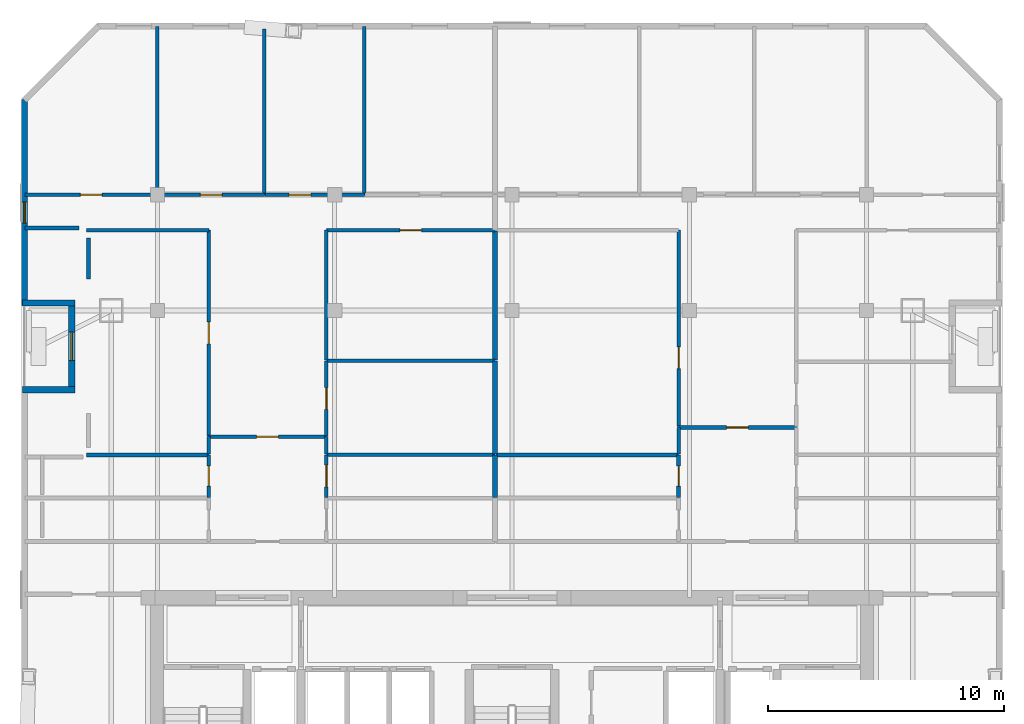
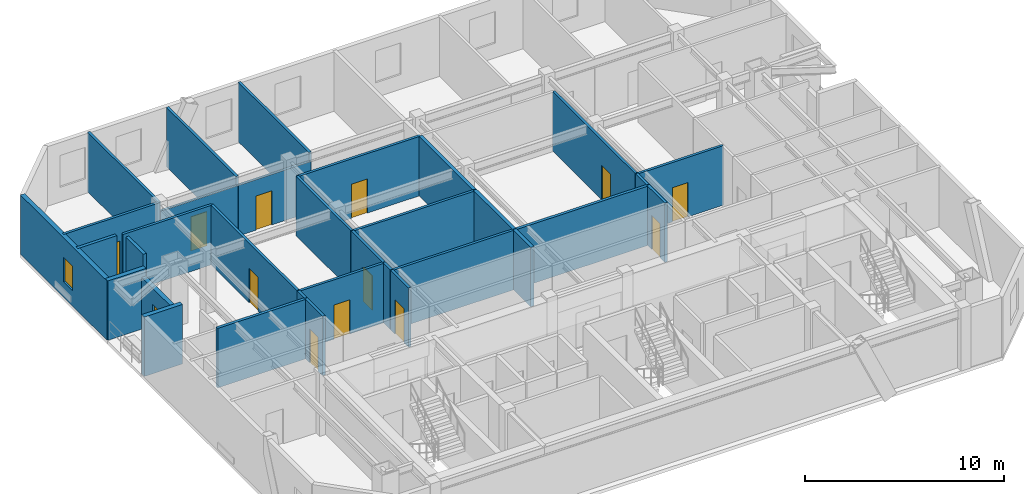
# One storey, part 4 of 7: 33 walls, 13 doors, 1 window, 14 openings.
"""IFC4 building model written with IfcOpenShell, lengths in metres."""

from ifc_helpers import new_model, si_unit, direction, frame, frame_2d, origin, place, context, subcontext, project, spatial, rectangle, extrude, material, layer, layer_set, type_object, element, fill, save


model = new_model("IFC4")

# Units and contexts
model_context = context("Model", 3, precision=1e-05, world=origin(), true_north=direction((0.0, 1.0)))
body_context = subcontext(model_context, "Body", "Model", "MODEL_VIEW")
ifc_project = project(units=[si_unit("LENGTHUNIT", "METRE"), si_unit("AREAUNIT", "SQUARE_METRE"), si_unit("VOLUMEUNIT", "CUBIC_METRE"), si_unit("PLANEANGLEUNIT", "RADIAN"), si_unit("MASSUNIT", "GRAM", prefix="KILO")], contexts=[model_context])

# Site, building, storey
site_placement = place(None, origin())
site = spatial("IfcSite", under=ifc_project, at=site_placement, CompositionType="ELEMENT")
building_placement = place(site_placement, origin())
building = spatial("IfcBuilding", under=site, at=building_placement, Name="Ventersveld Concourse Tower", CompositionType="ELEMENT")
storey_placement = place(building_placement, frame((0.0, 0.0, 260.60009765625)))
storey = spatial("IfcBuildingStorey", under=building, at=storey_placement, Name="L64", CompositionType="ELEMENT", Elevation=260.60009765625)

# Walls
ifc_material_1 = material(Name="Fire-rated autoclaved aerated masonry blockwork", Category="masonry")
ifc_layer_1 = layer(ifc_material_1, 0.179931640625)
ifc_layer_set_1 = layer_set([ifc_layer_1], Name="Fire-rated autoclaved aerated masonry blockwork")
wall_type_1 = type_object("IfcWallType", Name="WL-CORR-180", PredefinedType="PARTITIONING", material=ifc_layer_set_1)
wall_1_placement = place(storey_placement, frame((10.427734375, 27.090087890625, 0.0), z_axis=(0.0, 0.0, 1.0), x_axis=(-1.0, 0.0, 0.0)))
element("IfcWall", 1, at=wall_1_placement, inside=storey, type_object=wall_type_1, Name="L64 Room Enclosure Wall SP-L64-64N1-LIV", PredefinedType="PARTITIONING", context=body_context, shape_type="SweptSolid", body=[
    extrude(rectangle(XDim=2.280517578125, YDim=0.179931640625, at=frame_2d((1.14013671875, 0.0))), origin(), (0.0, 0.0, 1.0), 3.64990234375),
])
wall_2_placement = place(storey_placement, frame((10.837646484375, 24.922119140625, 0.0), z_axis=(0.0, 0.0, 1.0), x_axis=(0.0, 1.0, 0.0)))
element("IfcWall", 2, at=wall_2_placement, inside=storey, type_object=wall_type_1, Name="L64 Room Enclosure Wall SP-L64-64N1-OFFL0", PredefinedType="PARTITIONING", context=body_context, shape_type="SweptSolid", body=[
    extrude(rectangle(XDim=1.7529296875, YDim=0.179931640625, at=frame_2d((0.87646484375, 0.0))), origin(), (0.0, 0.0, 1.0), 3.64990234375),
])
ifc_layer_2 = layer(ifc_material_1, 0.199951171875)
ifc_layer_set_2 = layer_set([ifc_layer_2], Name="Fire-rated autoclaved aerated masonry blockwork")
wall_type_2 = type_object("IfcWallType", Name="WL-DEMISE-200", PredefinedType="PARTITIONING", material=ifc_layer_set_2)
wall_3_placement = place(storey_placement, frame((28.032470703125, 15.695068359375, 0.0), z_axis=(0.0, 0.0, 1.0), x_axis=(0.0, 1.0, 0.0)))
element("IfcWall", 3, at=wall_3_placement, inside=storey, type_object=wall_type_2, Name="L64 Interior Partition SP-L64-64N1-PANR1-SP-L64-64N2-PWDL2", PredefinedType="PARTITIONING", context=body_context, shape_type="SweptSolid", body=[
    extrude(rectangle(XDim=1.800048828125, YDim=0.199951171875, at=frame_2d((0.89990234375, 0.0))), origin(), (0.0, 0.0, 1.0), 3.64990234375),
])
wall_4_placement = place(storey_placement, frame((28.032470703125, 17.52490234375, 0.0), z_axis=(0.0, 0.0, 1.0), x_axis=(0.0, 1.0, 0.0)))
element("IfcWall", 4, at=wall_4_placement, inside=storey, type_object=wall_type_2, Name="L64 Interior Partition SP-L64-64N1-DENR-SP-L64-64N2-OFFL0", PredefinedType="PARTITIONING", context=body_context, shape_type="SweptSolid", body=[
    extrude(rectangle(XDim=3.948486328125, YDim=0.199951171875, at=frame_2d((1.97412109375, 0.0))), origin(), (0.0, 0.0, 1.0), 3.64990234375),
])
wall_5_placement = place(storey_placement, frame((28.032470703125, 21.50341796875, 0.0), z_axis=(0.0, 0.0, 1.0), x_axis=(0.0, 1.0, 0.0)))
element("IfcWall", 5, at=wall_5_placement, inside=storey, type_object=wall_type_2, Name="L64 Interior Partition SP-L64-64N1-DENS2-SP-L64-64N2-OFFL0", PredefinedType="PARTITIONING", context=body_context, shape_type="SweptSolid", body=[
    extrude(rectangle(XDim=5.461669921875, YDim=0.199951171875, at=frame_2d((2.73095703125, 0.0))), origin(), (0.0, 0.0, 1.0), 3.64990234375),
])

# Wall, opening, door
ifc_material_2 = material(Name="Autoclaved aerated masonry blockwork", Category="masonry")
ifc_layer_3 = layer(ifc_material_2, 0.14990234375)
ifc_layer_set_3 = layer_set([ifc_layer_3], Name="Autoclaved aerated masonry blockwork")
wall_type_3 = type_object("IfcWallType", Name="WL-INT-150", PredefinedType="PARTITIONING", material=ifc_layer_set_3)
wall_6_placement = place(storey_placement, frame((15.9150390625, 18.256103515625, 0.0), z_axis=(0.0, 0.0, 1.0), x_axis=(1.0, 0.0, 0.0)))
wall_6 = element("IfcWall", 6, at=wall_6_placement, inside=storey, type_object=wall_type_3, Name="L64 Interior Partition SP-L64-64N1-FOY-SP-L64-64N1-LIV", PredefinedType="PARTITIONING", context=body_context, shape_type="SweptSolid", body=[
    extrude(rectangle(XDim=4.989990234375, YDim=0.14990234375, at=frame_2d((2.4951171875, 0.0))), origin(), (0.0, 0.0, 1.0), 3.64990234375),
])
opening_1_placement = place(wall_6_placement, frame((2.034912109375, 0.0, 0.0)))
opening_1 = element("IfcOpeningElement", 7, at=opening_1_placement, cuts=wall_6, Name="Opening ID1", PredefinedType="OPENING", context=body_context, shape_type="SweptSolid", body=[
    extrude(rectangle(XDim=0.919921875, YDim=2.10009765625, at=frame_2d((0.4599609375, 1.050048828125))), frame((0.0, 0.0849609375, 0.0), z_axis=(0.0, -1.0, 0.0), x_axis=(1.0, 0.0, 0.0)), (0.0, 0.0, 1.0), 0.169921875),
])
ifc_material_3 = material(Name="Solid-core hardwood veneer timber", Category="wood")
door_type_1 = type_object("IfcDoorType", Name="DR-ROOM-092", OperationType="NOTDEFINED", PredefinedType="DOOR", material=ifc_material_3)
door_1_placement = place(opening_1_placement, origin())
door_1 = element("IfcDoor", 8, at=door_1_placement, inside=storey, type_object=door_type_1, Name="L64 Interior Door SP-L64-64N1-FOY to SP-L64-64N1-LIV (D-L64-3026)", OperationType="SINGLE_SWING_RIGHT", OverallHeight=2.10009765625, OverallWidth=0.919921875, PredefinedType="DOOR", context=body_context, shape_type="SweptSolid", body=[
    extrude(rectangle(XDim=0.919921875, YDim=2.10009765625, at=frame_2d((0.4599609375, 1.050048828125))), frame((0.0, 0.02490234375, 0.0), z_axis=(0.0, -1.0, 0.0), x_axis=(1.0, 0.0, 0.0)), (0.0, 0.0, 1.0), 0.050048828125),
])
fill(opening_1, door_1)

# Wall
wall_7_placement = place(storey_placement, frame((15.920166015625, 17.52490234375, 0.0), z_axis=(0.0, 0.0, 1.0), x_axis=(0.0, 1.0, 0.0)))
element("IfcWall", 9, at=wall_7_placement, inside=storey, type_object=wall_type_3, Name="L64 Interior Partition SP-L64-64N1-FOY-SP-L64-64N1-OFFL0", PredefinedType="PARTITIONING", context=body_context, shape_type="SweptSolid", body=[
    extrude(rectangle(XDim=0.736328125, YDim=0.14990234375, at=frame_2d((0.3681640625, 0.0))), origin(), (0.0, 0.0, 1.0), 3.64990234375),
])

# Wall, opening, door
wall_8_placement = place(storey_placement, frame((20.900146484375, 15.695068359375, 0.0), z_axis=(0.0, 0.0, 1.0), x_axis=(0.0, 1.0, 0.0)))
wall_8 = element("IfcWall", 10, at=wall_8_placement, inside=storey, type_object=wall_type_3, Name="L64 Interior Partition SP-L64-64N1-FOY-SP-L64-64N1-PANR1", PredefinedType="PARTITIONING", context=body_context, shape_type="SweptSolid", body=[
    extrude(rectangle(XDim=1.800048828125, YDim=0.14990234375, at=frame_2d((0.89990234375, 0.0))), origin(), (0.0, 0.0, 1.0), 3.64990234375),
])
opening_2_placement = place(wall_8_placement, frame((0.43994140625, 0.0, 0.0)))
opening_2 = element("IfcOpeningElement", 11, at=opening_2_placement, cuts=wall_8, Name="Opening ID1", PredefinedType="OPENING", context=body_context, shape_type="SweptSolid", body=[
    extrude(rectangle(XDim=0.919921875, YDim=2.10009765625, at=frame_2d((0.4599609375, 1.050048828125))), frame((0.0, 0.0849609375, 0.0), z_axis=(0.0, -1.0, 0.0), x_axis=(1.0, 0.0, 0.0)), (0.0, 0.0, 1.0), 0.169921875),
])
door_2_placement = place(opening_2_placement, origin())
door_2 = element("IfcDoor", 12, at=door_2_placement, inside=storey, type_object=door_type_1, Name="L64 Interior Door SP-L64-64N1-FOY to SP-L64-64N1-PANR1 (D-L64-3030)", OperationType="SINGLE_SWING_RIGHT", OverallHeight=2.10009765625, OverallWidth=0.919921875, PredefinedType="DOOR", context=body_context, shape_type="SweptSolid", body=[
    extrude(rectangle(XDim=0.919921875, YDim=2.10009765625, at=frame_2d((0.4599609375, 1.050048828125))), frame((0.0, 0.02490234375, 0.0), z_axis=(0.0, -1.0, 0.0), x_axis=(1.0, 0.0, 0.0)), (0.0, 0.0, 1.0), 0.050048828125),
])
fill(opening_2, door_2)

# Wall
wall_9_placement = place(storey_placement, frame((20.900146484375, 17.52490234375, 0.0), z_axis=(0.0, 0.0, 1.0), x_axis=(0.0, 1.0, 0.0)))
element("IfcWall", 13, at=wall_9_placement, inside=storey, type_object=wall_type_3, Name="L64 Interior Partition SP-L64-64N1-FOY-SP-L64-64N1-DENR", PredefinedType="PARTITIONING", context=body_context, shape_type="SweptSolid", body=[
    extrude(rectangle(XDim=0.736328125, YDim=0.14990234375, at=frame_2d((0.3681640625, 0.0))), origin(), (0.0, 0.0, 1.0), 3.64990234375),
])

# Wall, opening, door
wall_10_placement = place(storey_placement, frame((15.920166015625, 18.291259765625, 0.0), z_axis=(0.0, 0.0, 1.0), x_axis=(0.0, 1.0, 0.0)))
wall_10 = element("IfcWall", 14, at=wall_10_placement, inside=storey, type_object=wall_type_3, Name="L64 Interior Partition SP-L64-64N1-LIV-SP-L64-64N1-OFFL0", PredefinedType="PARTITIONING", context=body_context, shape_type="SweptSolid", body=[
    extrude(rectangle(XDim=8.713623046875, YDim=0.14990234375, at=frame_2d((4.35693359375, 0.0))), origin(), (0.0, 0.0, 1.0), 3.64990234375),
])
opening_3_placement = place(wall_10_placement, frame((3.89697265625, 0.0, 0.0)))
opening_3 = element("IfcOpeningElement", 15, at=opening_3_placement, cuts=wall_10, Name="Opening ID1", PredefinedType="OPENING", context=body_context, shape_type="SweptSolid", body=[
    extrude(rectangle(XDim=0.919921875, YDim=2.10009765625, at=frame_2d((0.4599609375, 1.050048828125))), frame((0.0, 0.0849609375, 0.0), z_axis=(0.0, -1.0, 0.0), x_axis=(1.0, 0.0, 0.0)), (0.0, 0.0, 1.0), 0.169921875),
])
door_3_placement = place(opening_3_placement, origin())
door_3 = element("IfcDoor", 16, at=door_3_placement, inside=storey, type_object=door_type_1, Name="L64 Interior Door SP-L64-64N1-LIV to SP-L64-64N1-OFFL0 (D-L64-3031)", OperationType="SINGLE_SWING_LEFT", OverallHeight=2.10009765625, OverallWidth=0.919921875, PredefinedType="DOOR", context=body_context, shape_type="SweptSolid", body=[
    extrude(rectangle(XDim=0.919921875, YDim=2.10009765625, at=frame_2d((0.4599609375, 1.050048828125))), frame((0.0, 0.02490234375, 0.0), z_axis=(0.0, -1.0, 0.0), x_axis=(1.0, 0.0, 0.0)), (0.0, 0.0, 1.0), 0.050048828125),
])
fill(opening_3, door_3)

# Wall
wall_11_placement = place(storey_placement, frame((10.74267578125, 27.0, 0.0), z_axis=(0.0, 0.0, 1.0), x_axis=(1.0, 0.0, 0.0)))
element("IfcWall", 17, at=wall_11_placement, inside=storey, type_object=wall_type_3, Name="L64 Interior Partition SP-L64-64N1-LIV-SP-L64-64N1-OFFL0", PredefinedType="PARTITIONING", context=body_context, shape_type="SweptSolid", body=[
    extrude(rectangle(XDim=5.182373046875, YDim=0.14990234375, at=frame_2d((2.59130859375, 0.0))), origin(), (0.0, 0.0, 1.0), 3.64990234375),
])

# Wall, opening, door
wall_12_placement = place(storey_placement, frame((20.900146484375, 18.291259765625, 0.0), z_axis=(0.0, 0.0, 1.0), x_axis=(0.0, 1.0, 0.0)))
wall_12 = element("IfcWall", 18, at=wall_12_placement, inside=storey, type_object=wall_type_3, Name="L64 Interior Partition SP-L64-64N1-LIV-SP-L64-64N1-DENR", PredefinedType="PARTITIONING", context=body_context, shape_type="SweptSolid", body=[
    extrude(rectangle(XDim=3.18212890625, YDim=0.14990234375, at=frame_2d((1.591064453125, 0.0))), origin(), (0.0, 0.0, 1.0), 3.64990234375),
])
opening_4_placement = place(wall_12_placement, frame((1.131103515625, 0.0, 0.0)))
opening_4 = element("IfcOpeningElement", 19, at=opening_4_placement, cuts=wall_12, Name="Opening ID1", PredefinedType="OPENING", context=body_context, shape_type="SweptSolid", body=[
    extrude(rectangle(XDim=0.919921875, YDim=2.10009765625, at=frame_2d((0.4599609375, 1.050048828125))), frame((0.0, 0.0849609375, 0.0), z_axis=(0.0, -1.0, 0.0), x_axis=(1.0, 0.0, 0.0)), (0.0, 0.0, 1.0), 0.169921875),
])
door_4_placement = place(opening_4_placement, origin())
door_4 = element("IfcDoor", 20, at=door_4_placement, inside=storey, type_object=door_type_1, Name="L64 Interior Door SP-L64-64N1-LIV to SP-L64-64N1-DENR (D-L64-3032)", OperationType="SINGLE_SWING_RIGHT", OverallHeight=2.10009765625, OverallWidth=0.919921875, PredefinedType="DOOR", context=body_context, shape_type="SweptSolid", body=[
    extrude(rectangle(XDim=0.919921875, YDim=2.10009765625, at=frame_2d((0.4599609375, 1.050048828125))), frame((0.0, 0.02490234375, 0.0), z_axis=(0.0, -1.0, 0.0), x_axis=(1.0, 0.0, 0.0)), (0.0, 0.0, 1.0), 0.050048828125),
])
fill(opening_4, door_4)

wall_13_placement = place(storey_placement, frame((20.89501953125, 27.0, 0.0), z_axis=(0.0, 0.0, 1.0), x_axis=(1.0, 0.0, 0.0)))
wall_13 = element("IfcWall", 21, at=wall_13_placement, inside=storey, type_object=wall_type_3, Name="L64 Interior Partition SP-L64-64N1-LIV-SP-L64-64N1-DENS2", PredefinedType="PARTITIONING", context=body_context, shape_type="SweptSolid", body=[
    extrude(rectangle(XDim=7.142578125, YDim=0.14990234375, at=frame_2d((3.5712890625, 0.0))), origin(), (0.0, 0.0, 1.0), 3.64990234375),
])
opening_5_placement = place(wall_13_placement, frame((3.111083984375, 0.0, 0.0)))
opening_5 = element("IfcOpeningElement", 22, at=opening_5_placement, cuts=wall_13, Name="Opening ID1", PredefinedType="OPENING", context=body_context, shape_type="SweptSolid", body=[
    extrude(rectangle(XDim=0.919921875, YDim=2.10009765625, at=frame_2d((0.4599609375, 1.050048828125))), frame((0.0, 0.0849609375, 0.0), z_axis=(0.0, -1.0, 0.0), x_axis=(1.0, 0.0, 0.0)), (0.0, 0.0, 1.0), 0.169921875),
])
door_5_placement = place(opening_5_placement, origin())
door_5 = element("IfcDoor", 23, at=door_5_placement, inside=storey, type_object=door_type_1, Name="L64 Interior Door SP-L64-64N1-LIV to SP-L64-64N1-DENS2 (D-L64-3033)", OperationType="SINGLE_SWING_LEFT", OverallHeight=2.10009765625, OverallWidth=0.919921875, PredefinedType="DOOR", context=body_context, shape_type="SweptSolid", body=[
    extrude(rectangle(XDim=0.919921875, YDim=2.10009765625, at=frame_2d((0.4599609375, 1.050048828125))), frame((0.0, 0.02490234375, 0.0), z_axis=(0.0, -1.0, 0.0), x_axis=(1.0, 0.0, 0.0)), (0.0, 0.0, 1.0), 0.050048828125),
])
fill(opening_5, door_5)

# Wall
wall_14_placement = place(storey_placement, frame((20.900146484375, 21.50341796875, 0.0), z_axis=(0.0, 0.0, 1.0), x_axis=(0.0, 1.0, 0.0)))
element("IfcWall", 24, at=wall_14_placement, inside=storey, type_object=wall_type_3, Name="L64 Interior Partition SP-L64-64N1-LIV-SP-L64-64N1-DENS2", PredefinedType="PARTITIONING", context=body_context, shape_type="SweptSolid", body=[
    extrude(rectangle(XDim=5.50146484375, YDim=0.14990234375, at=frame_2d((2.750732421875, 0.0))), origin(), (0.0, 0.0, 1.0), 3.64990234375),
])

# Wall, opening, door
wall_15_placement = place(storey_placement, frame((8.147216796875, 28.5, 0.0), z_axis=(0.0, 0.0, 1.0), x_axis=(1.0, 0.0, 0.0)))
wall_15 = element("IfcWall", 25, at=wall_15_placement, inside=storey, type_object=wall_type_3, Name="L64 Interior Partition SP-L64-64N1-LIV-SP-L64-64N1-BR1", PredefinedType="PARTITIONING", context=body_context, shape_type="SweptSolid", body=[
    extrude(rectangle(XDim=5.607666015625, YDim=0.14990234375, at=frame_2d((2.8037109375, 0.0))), origin(), (0.0, 0.0, 1.0), 3.64990234375),
])
opening_6_placement = place(wall_15_placement, frame((2.343994140625, 0.0, 0.0)))
opening_6 = element("IfcOpeningElement", 26, at=opening_6_placement, cuts=wall_15, Name="Opening ID1", PredefinedType="OPENING", context=body_context, shape_type="SweptSolid", body=[
    extrude(rectangle(XDim=0.919921875, YDim=2.10009765625, at=frame_2d((0.4599609375, 1.050048828125))), frame((0.0, 0.0849609375, 0.0), z_axis=(0.0, -1.0, 0.0), x_axis=(1.0, 0.0, 0.0)), (0.0, 0.0, 1.0), 0.169921875),
])
door_6_placement = place(opening_6_placement, origin())
door_6 = element("IfcDoor", 27, at=door_6_placement, inside=storey, type_object=door_type_1, Name="L64 Interior Door SP-L64-64N1-LIV to SP-L64-64N1-BR1 (D-L64-3034)", OperationType="SINGLE_SWING_RIGHT", OverallHeight=2.10009765625, OverallWidth=0.919921875, PredefinedType="DOOR", context=body_context, shape_type="SweptSolid", body=[
    extrude(rectangle(XDim=0.919921875, YDim=2.10009765625, at=frame_2d((0.4599609375, 1.050048828125))), frame((0.0, 0.02490234375, 0.0), z_axis=(0.0, -1.0, 0.0), x_axis=(1.0, 0.0, 0.0)), (0.0, 0.0, 1.0), 0.050048828125),
])
fill(opening_6, door_6)

wall_16_placement = place(storey_placement, frame((13.784912109375, 28.5, 0.0), z_axis=(0.0, 0.0, 1.0), x_axis=(1.0, 0.0, 0.0)))
wall_16 = element("IfcWall", 28, at=wall_16_placement, inside=storey, type_object=wall_type_3, Name="L64 Interior Partition SP-L64-64N1-LIV-SP-L64-64N1-BR2", PredefinedType="PARTITIONING", context=body_context, shape_type="SweptSolid", body=[
    extrude(rectangle(XDim=4.491943359375, YDim=0.14990234375, at=frame_2d((2.24609375, 0.0))), origin(), (0.0, 0.0, 1.0), 3.10546875),
])
opening_7_placement = place(wall_16_placement, frame((1.785888671875, 0.0, 0.0)))
opening_7 = element("IfcOpeningElement", 29, at=opening_7_placement, cuts=wall_16, Name="Opening ID1", PredefinedType="OPENING", context=body_context, shape_type="SweptSolid", body=[
    extrude(rectangle(XDim=0.919921875, YDim=2.10009765625, at=frame_2d((0.4599609375, 1.050048828125))), frame((0.0, 0.0849609375, 0.0), z_axis=(0.0, -1.0, 0.0), x_axis=(1.0, 0.0, 0.0)), (0.0, 0.0, 1.0), 0.169921875),
])
door_7_placement = place(opening_7_placement, origin())
door_7 = element("IfcDoor", 30, at=door_7_placement, inside=storey, type_object=door_type_1, Name="L64 Interior Door SP-L64-64N1-LIV to SP-L64-64N1-BR2 (D-L64-3035)", OperationType="SINGLE_SWING_LEFT", OverallHeight=2.10009765625, OverallWidth=0.919921875, PredefinedType="DOOR", context=body_context, shape_type="SweptSolid", body=[
    extrude(rectangle(XDim=0.919921875, YDim=2.10009765625, at=frame_2d((0.4599609375, 1.050048828125))), frame((0.0, 0.02490234375, 0.0), z_axis=(0.0, -1.0, 0.0), x_axis=(1.0, 0.0, 0.0)), (0.0, 0.0, 1.0), 0.050048828125),
])
fill(opening_7, door_7)

wall_17_placement = place(storey_placement, frame((18.306884765625, 28.5, 0.0), z_axis=(0.0, 0.0, 1.0), x_axis=(1.0, 0.0, 0.0)))
wall_17 = element("IfcWall", 31, at=wall_17_placement, inside=storey, type_object=wall_type_3, Name="L64 Interior Partition SP-L64-64N1-LIV-SP-L64-64N1-BR3", PredefinedType="PARTITIONING", context=body_context, shape_type="SweptSolid", body=[
    extrude(rectangle(XDim=4.2021484375, YDim=0.14990234375, at=frame_2d((2.10107421875, 0.0))), origin(), (0.0, 0.0, 1.0), 3.10546875),
])
opening_8_placement = place(wall_17_placement, frame((1.0107421875, 0.0, 0.0)))
opening_8 = element("IfcOpeningElement", 32, at=opening_8_placement, cuts=wall_17, Name="Opening ID1", PredefinedType="OPENING", context=body_context, shape_type="SweptSolid", body=[
    extrude(rectangle(XDim=0.919921875, YDim=2.10009765625, at=frame_2d((0.4599609375, 1.050048828125))), frame((0.0, 0.0849609375, 0.0), z_axis=(0.0, -1.0, 0.0), x_axis=(1.0, 0.0, 0.0)), (0.0, 0.0, 1.0), 0.169921875),
])
door_8_placement = place(opening_8_placement, origin())
door_8 = element("IfcDoor", 33, at=door_8_placement, inside=storey, type_object=door_type_1, Name="L64 Interior Door SP-L64-64N1-LIV to SP-L64-64N1-BR3 (D-L64-3036)", OperationType="SINGLE_SWING_RIGHT", OverallHeight=2.10009765625, OverallWidth=0.919921875, PredefinedType="DOOR", context=body_context, shape_type="SweptSolid", body=[
    extrude(rectangle(XDim=0.919921875, YDim=2.10009765625, at=frame_2d((0.4599609375, 1.050048828125))), frame((0.0, 0.02490234375, 0.0), z_axis=(0.0, -1.0, 0.0), x_axis=(1.0, 0.0, 0.0)), (0.0, 0.0, 1.0), 0.050048828125),
])
fill(opening_8, door_8)

# Walls
for number, where, z_axis, x_axis, name in (
    (34, (20.89501953125, 17.489990234375, 0.0), (0.0, 0.0, 1.0), (1.0, 0.0, 0.0), "L64 Interior Partition SP-L64-64N1-PANR1-SP-L64-64N1-DENR"),
    (35, (20.89501953125, 21.468505859375, 0.0), (0.0, 0.0, 1.0), (1.0, 0.0, 0.0), "L64 Interior Partition SP-L64-64N1-DENR-SP-L64-64N1-DENS2"),
):
    element("IfcWall", number, at=place(storey_placement, frame(where, z_axis=z_axis, x_axis=x_axis)), inside=storey, type_object=wall_type_3, Name=name, PredefinedType="PARTITIONING", context=body_context, shape_type="SweptSolid", body=[
        extrude(rectangle(XDim=7.142578125, YDim=0.14990234375, at=frame_2d((3.5712890625, 0.0))), origin(), (0.0, 0.0, 1.0), 3.64990234375),
    ])
wall_18_placement = place(storey_placement, frame((13.75, 28.4951171875, 0.0), z_axis=(0.0, 0.0, 1.0), x_axis=(0.0, 1.0, 0.0)))
element("IfcWall", 36, at=wall_18_placement, inside=storey, type_object=wall_type_3, Name="L64 Interior Partition SP-L64-64N1-BR1-SP-L64-64N1-BR2", PredefinedType="PARTITIONING", context=body_context, shape_type="SweptSolid", body=[
    extrude(rectangle(XDim=7.115966796875, YDim=0.14990234375, at=frame_2d((3.55810546875, 0.0))), origin(), (0.0, 0.0, 1.0), 3.64990234375),
])
wall_19_placement = place(storey_placement, frame((18.271728515625, 28.4951171875, 0.0), z_axis=(0.0, 0.0, 1.0), x_axis=(0.0, 1.0, 0.0)))
element("IfcWall", 37, at=wall_19_placement, inside=storey, type_object=wall_type_3, Name="L64 Interior Partition SP-L64-64N1-BR2-SP-L64-64N1-BR3", PredefinedType="PARTITIONING", context=body_context, shape_type="SweptSolid", body=[
    extrude(rectangle(XDim=7.006591796875, YDim=0.14990234375, at=frame_2d((3.50341796875, 0.0))), origin(), (0.0, 0.0, 1.0), 3.64990234375),
])
wall_20_placement = place(storey_placement, frame((22.504150390625, 28.4951171875, 0.0), z_axis=(0.0, 0.0, 1.0), x_axis=(0.0, 1.0, 0.0)))
element("IfcWall", 38, at=wall_20_placement, inside=storey, type_object=wall_type_3, Name="L64 Interior Partition SP-L64-64N1-BR3-SP-L64-64N1-BR4", PredefinedType="PARTITIONING", context=body_context, shape_type="SweptSolid", body=[
    extrude(rectangle(XDim=7.115966796875, YDim=0.14990234375, at=frame_2d((3.55810546875, 0.0))), origin(), (0.0, 0.0, 1.0), 3.64990234375),
])

# Wall, opening, door
wall_21_placement = place(storey_placement, frame((35.7919921875, 18.65087890625, 0.0), z_axis=(0.0, 0.0, 1.0), x_axis=(1.0, 0.0, 0.0)))
wall_21 = element("IfcWall", 39, at=wall_21_placement, inside=storey, type_object=wall_type_3, Name="L64 Interior Partition SP-L64-64N2-FOY-SP-L64-64N2-LIV", PredefinedType="PARTITIONING", context=body_context, shape_type="SweptSolid", body=[
    extrude(rectangle(XDim=4.989990234375, YDim=0.14990234375, at=frame_2d((2.4951171875, 0.0))), origin(), (0.0, 0.0, 1.0), 3.64990234375),
])
opening_9_placement = place(wall_21_placement, frame((2.034912109375, 0.0, 0.0)))
opening_9 = element("IfcOpeningElement", 40, at=opening_9_placement, cuts=wall_21, Name="Opening ID1", PredefinedType="OPENING", context=body_context, shape_type="SweptSolid", body=[
    extrude(rectangle(XDim=0.919921875, YDim=2.10009765625, at=frame_2d((0.4599609375, 1.050048828125))), frame((0.0, 0.0849609375, 0.0), z_axis=(0.0, -1.0, 0.0), x_axis=(1.0, 0.0, 0.0)), (0.0, 0.0, 1.0), 0.169921875),
])
door_9_placement = place(opening_9_placement, origin())
door_9 = element("IfcDoor", 41, at=door_9_placement, inside=storey, type_object=door_type_1, Name="L64 Interior Door SP-L64-64N2-FOY to SP-L64-64N2-LIV (D-L64-3038)", OperationType="SINGLE_SWING_RIGHT", OverallHeight=2.10009765625, OverallWidth=0.919921875, PredefinedType="DOOR", context=body_context, shape_type="SweptSolid", body=[
    extrude(rectangle(XDim=0.919921875, YDim=2.10009765625, at=frame_2d((0.4599609375, 1.050048828125))), frame((0.0, 0.02490234375, 0.0), z_axis=(0.0, -1.0, 0.0), x_axis=(1.0, 0.0, 0.0)), (0.0, 0.0, 1.0), 0.050048828125),
])
fill(opening_9, door_9)

# Wall
wall_22_placement = place(storey_placement, frame((35.797119140625, 17.52490234375, 0.0), z_axis=(0.0, 0.0, 1.0), x_axis=(0.0, 1.0, 0.0)))
element("IfcWall", 42, at=wall_22_placement, inside=storey, type_object=wall_type_3, Name="L64 Interior Partition SP-L64-64N2-FOY-SP-L64-64N2-OFFL0", PredefinedType="PARTITIONING", context=body_context, shape_type="SweptSolid", body=[
    extrude(rectangle(XDim=1.130859375, YDim=0.14990234375, at=frame_2d((0.5654296875, 0.0))), origin(), (0.0, 0.0, 1.0), 3.64990234375),
])

# Wall, opening, door
wall_23_placement = place(storey_placement, frame((35.797119140625, 18.685791015625, 0.0), z_axis=(0.0, 0.0, 1.0), x_axis=(0.0, 1.0, 0.0)))
wall_23 = element("IfcWall", 43, at=wall_23_placement, inside=storey, type_object=wall_type_3, Name="L64 Interior Partition SP-L64-64N2-LIV-SP-L64-64N2-OFFL0", PredefinedType="PARTITIONING", context=body_context, shape_type="SweptSolid", body=[
    extrude(rectangle(XDim=8.319091796875, YDim=0.14990234375, at=frame_2d((4.15966796875, 0.0))), origin(), (0.0, 0.0, 1.0), 3.64990234375),
])
opening_10_placement = place(wall_23_placement, frame((2.45166015625, 0.0, 0.0)))
opening_10 = element("IfcOpeningElement", 44, at=opening_10_placement, cuts=wall_23, Name="Opening ID1", PredefinedType="OPENING", context=body_context, shape_type="SweptSolid", body=[
    extrude(rectangle(XDim=0.919921875, YDim=2.10009765625, at=frame_2d((0.4599609375, 1.050048828125))), frame((0.0, 0.0849609375, 0.0), z_axis=(0.0, -1.0, 0.0), x_axis=(1.0, 0.0, 0.0)), (0.0, 0.0, 1.0), 0.169921875),
])
door_10_placement = place(opening_10_placement, origin())
door_10 = element("IfcDoor", 45, at=door_10_placement, inside=storey, type_object=door_type_1, Name="L64 Interior Door SP-L64-64N2-LIV to SP-L64-64N2-OFFL0 (D-L64-3043)", OperationType="SINGLE_SWING_LEFT", OverallHeight=2.10009765625, OverallWidth=0.919921875, PredefinedType="DOOR", context=body_context, shape_type="SweptSolid", body=[
    extrude(rectangle(XDim=0.919921875, YDim=2.10009765625, at=frame_2d((0.4599609375, 1.050048828125))), frame((0.0, 0.02490234375, 0.0), z_axis=(0.0, -1.0, 0.0), x_axis=(1.0, 0.0, 0.0)), (0.0, 0.0, 1.0), 0.050048828125),
])
fill(opening_10, door_10)

# Wall, opening, window
ifc_material_4 = material(Name="Precast concrete C45/55", Category="concrete")
ifc_layer_4 = layer(ifc_material_4, 0.260009765625)
ifc_layer_set_4 = layer_set([ifc_layer_4], Name="Precast concrete C45/55")
wall_type_4 = type_object("IfcWallType", Name="WL-PREC-260", PredefinedType="SOLIDWALL", material=ifc_layer_set_4)
wall_24_placement = place(storey_placement, frame((8.127685546875, 32.5205078125, 0.0), z_axis=(0.0, 0.0, 1.0), x_axis=(0.0, -1.0, 0.0)))
wall_24 = element("IfcWall", 46, at=wall_24_placement, inside=storey, type_object=wall_type_4, Name="L64 Highveld Precast Facade Wall E11", PredefinedType="SOLIDWALL", context=body_context, shape_type="SweptSolid", body=[
    extrude(rectangle(XDim=8.7001953125, YDim=0.260009765625, at=frame_2d((4.35009765625, 0.0))), origin(), (0.0, 0.0, 1.0), 3.64990234375),
])
opening_11_placement = place(wall_24_placement, frame((4.320556640625, 0.0, 0.949951171875)))
opening_11 = element("IfcOpeningElement", 47, at=opening_11_placement, cuts=wall_24, Name="Opening W4", PredefinedType="OPENING", context=body_context, shape_type="SweptSolid", body=[
    extrude(rectangle(XDim=0.89990234375, YDim=1.5, at=frame_2d((0.449951171875, 0.75))), frame((0.0, 0.14013671875, 0.0), z_axis=(0.0, -1.0, 0.0), x_axis=(1.0, 0.0, 0.0)), (0.0, 0.0, 1.0), 0.280029296875),
])
ifc_material_5 = material(Name="Tempered acoustic Low-E IGU", Category="glass")
window_type = type_object("IfcWindowType", Name="WIN-090x150", PartitioningType="SINGLE_PANEL", PredefinedType="WINDOW", material=ifc_material_5)
window_placement = place(opening_11_placement, origin())
window = element("IfcWindow", 48, at=window_placement, inside=storey, type_object=window_type, Name="L64 Punched Low-E Window W-0907", OverallHeight=1.5, OverallWidth=0.89990234375, PartitioningType="SINGLE_PANEL", PredefinedType="WINDOW", context=body_context, shape_type="SweptSolid", body=[
    extrude(rectangle(XDim=0.89990234375, YDim=1.5, at=frame_2d((0.449951171875, 0.75))), frame((0.0, 0.030029296875, 0.0), z_axis=(0.0, -1.0, 0.0), x_axis=(1.0, 0.0, 0.0)), (0.0, 0.0, 1.0), 0.06005859375),
])
fill(opening_11, window)

# Wall
wall_25_placement = place(storey_placement, frame((8.03759765625, 23.910400390625, 0.0), z_axis=(0.0, 0.0, 1.0), x_axis=(1.0, 0.0, 0.0)))
element("IfcWall", 49, at=wall_25_placement, inside=storey, type_object=wall_type_4, Name="L64 Highveld Precast Facade Wall E12", PredefinedType="SOLIDWALL", context=body_context, shape_type="SweptSolid", body=[
    extrude(rectangle(XDim=2.22021484375, YDim=0.260009765625, at=frame_2d((1.110107421875, 0.0))), origin(), (0.0, 0.0, 1.0), 3.64990234375),
])

# Wall, opening, door
wall_26_placement = place(storey_placement, frame((10.127685546875, 23.7802734375, 0.0), z_axis=(0.0, 0.0, 1.0), x_axis=(0.0, -1.0, 0.0)))
wall_26 = element("IfcWall", 50, at=wall_26_placement, inside=storey, type_object=wall_type_4, Name="L64 Highveld Precast Facade Wall E13", PredefinedType="SOLIDWALL", context=body_context, shape_type="SweptSolid", body=[
    extrude(rectangle(XDim=3.39990234375, YDim=0.260009765625, at=frame_2d((1.699951171875, 0.0))), origin(), (0.0, 0.0, 1.0), 3.18994140625),
])
opening_12_placement = place(wall_26_placement, frame((1.10009765625, 0.0, 0.0)))
opening_12 = element("IfcOpeningElement", 51, at=opening_12_placement, cuts=wall_26, Name="Opening TD1", PredefinedType="OPENING", context=body_context, shape_type="SweptSolid", body=[
    extrude(rectangle(XDim=1.199951171875, YDim=2.199951171875, at=frame_2d((0.60009765625, 1.10009765625))), frame((0.0, 0.14013671875, 0.0), z_axis=(0.0, -1.0, 0.0), x_axis=(1.0, 0.0, 0.0)), (0.0, 0.0, 1.0), 0.280029296875),
])
ifc_material_6 = material(Name="Anodised aluminium EN AW-6063-T6", Category="aluminium")
door_type_2 = type_object("IfcDoorType", Name="DR-TERR-120", OperationType="NOTDEFINED", PredefinedType="DOOR", material=ifc_material_6)
door_11_placement = place(opening_12_placement, frame((1.199951171875, 0.0, 0.0), z_axis=(0.0, 0.0, 1.0), x_axis=(-1.0, 0.0, 0.0)))
door_11 = element("IfcDoor", 52, at=door_11_placement, inside=storey, type_object=door_type_2, Name="L64 Stepped Valley Terrace Door TD-L64-01", OperationType="SINGLE_SWING_LEFT", OverallHeight=2.199951171875, OverallWidth=1.199951171875, PredefinedType="DOOR", context=body_context, shape_type="SweptSolid", body=[
    extrude(rectangle(XDim=1.199951171875, YDim=2.199951171875, at=frame_2d((0.60009765625, 1.10009765625))), frame((0.0, 0.02490234375, 0.0), z_axis=(0.0, -1.0, 0.0), x_axis=(1.0, 0.0, 0.0)), (0.0, 0.0, 1.0), 0.050048828125),
])
fill(opening_12, door_11)

# Wall
wall_27_placement = place(storey_placement, frame((10.2578125, 20.250244140625, 0.0), z_axis=(0.0, 0.0, 1.0), x_axis=(-1.0, 0.0, 0.0)))
element("IfcWall", 53, at=wall_27_placement, inside=storey, type_object=wall_type_4, Name="L64 Highveld Precast Facade Wall E14", PredefinedType="SOLIDWALL", context=body_context, shape_type="SweptSolid", body=[
    extrude(rectangle(XDim=2.22021484375, YDim=0.260009765625, at=frame_2d((1.110107421875, 0.0))), origin(), (0.0, 0.0, 1.0), 3.64990234375),
])

# Wall, opening, door
ifc_layer_5 = layer(ifc_material_2, 0.1650390625)
ifc_layer_set_5 = layer_set([ifc_layer_5], Name="Autoclaved aerated masonry blockwork")
wall_type_5 = type_object("IfcWallType", Name="WL-WET-165", PredefinedType="PLUMBINGWALL", material=ifc_layer_set_5)
wall_28_placement = place(storey_placement, frame((15.920166015625, 15.695068359375, 0.0), z_axis=(0.0, 0.0, 1.0), x_axis=(0.0, 1.0, 0.0)))
wall_28 = element("IfcWall", 54, at=wall_28_placement, inside=storey, type_object=wall_type_5, Name="L64 Interior Partition SP-L64-64N1-FOY-SP-L64-64N1-PWDL2", PredefinedType="PLUMBINGWALL", context=body_context, shape_type="SweptSolid", body=[
    extrude(rectangle(XDim=1.800048828125, YDim=0.1650390625, at=frame_2d((0.89990234375, 0.0))), origin(), (0.0, 0.0, 1.0), 3.64990234375),
])
opening_13_placement = place(wall_28_placement, frame((0.47509765625, 0.0, 0.0)))
opening_13 = element("IfcOpeningElement", 55, at=opening_13_placement, cuts=wall_28, Name="Opening ID2", PredefinedType="OPENING", context=body_context, shape_type="SweptSolid", body=[
    extrude(rectangle(XDim=0.85009765625, YDim=2.10009765625, at=frame_2d((0.425048828125, 1.050048828125))), frame((0.0, 0.092529296875, 0.0), z_axis=(0.0, -1.0, 0.0), x_axis=(1.0, 0.0, 0.0)), (0.0, 0.0, 1.0), 0.18505859375),
])
door_type_3 = type_object("IfcDoorType", Name="DR-BATH-085", OperationType="NOTDEFINED", PredefinedType="DOOR", material=ifc_material_3)
door_12_placement = place(opening_13_placement, origin())
door_12 = element("IfcDoor", 56, at=door_12_placement, inside=storey, type_object=door_type_3, Name="L64 Interior Door SP-L64-64N1-FOY to SP-L64-64N1-PWDL2 (D-L64-3028)", OperationType="SINGLE_SWING_RIGHT", OverallHeight=2.10009765625, OverallWidth=0.85009765625, PredefinedType="DOOR", context=body_context, shape_type="SweptSolid", body=[
    extrude(rectangle(XDim=0.85009765625, YDim=2.10009765625, at=frame_2d((0.425048828125, 1.050048828125))), frame((0.0, 0.02490234375, 0.0), z_axis=(0.0, -1.0, 0.0), x_axis=(1.0, 0.0, 0.0)), (0.0, 0.0, 1.0), 0.050048828125),
])
fill(opening_13, door_12)

# Wall
wall_29_placement = place(storey_placement, frame((10.74267578125, 17.489990234375, 0.0), z_axis=(0.0, 0.0, 1.0), x_axis=(1.0, 0.0, 0.0)))
element("IfcWall", 57, at=wall_29_placement, inside=storey, type_object=wall_type_5, Name="L64 Interior Partition SP-L64-64N1-PWDL2-SP-L64-64N1-OFFL0", PredefinedType="PLUMBINGWALL", context=body_context, shape_type="SweptSolid", body=[
    extrude(rectangle(XDim=5.182373046875, YDim=0.1650390625, at=frame_2d((2.59130859375, 0.0))), origin(), (0.0, 0.0, 1.0), 3.64990234375),
])

# Wall, opening, door
wall_30_placement = place(storey_placement, frame((35.797119140625, 15.695068359375, 0.0), z_axis=(0.0, 0.0, 1.0), x_axis=(0.0, 1.0, 0.0)))
wall_30 = element("IfcWall", 58, at=wall_30_placement, inside=storey, type_object=wall_type_5, Name="L64 Interior Partition SP-L64-64N2-FOY-SP-L64-64N2-PWDL2", PredefinedType="PLUMBINGWALL", context=body_context, shape_type="SweptSolid", body=[
    extrude(rectangle(XDim=1.800048828125, YDim=0.1650390625, at=frame_2d((0.89990234375, 0.0))), origin(), (0.0, 0.0, 1.0), 3.64990234375),
])
opening_14_placement = place(wall_30_placement, frame((0.47509765625, 0.0, 0.0)))
opening_14 = element("IfcOpeningElement", 59, at=opening_14_placement, cuts=wall_30, Name="Opening ID2", PredefinedType="OPENING", context=body_context, shape_type="SweptSolid", body=[
    extrude(rectangle(XDim=0.85009765625, YDim=2.10009765625, at=frame_2d((0.425048828125, 1.050048828125))), frame((0.0, 0.092529296875, 0.0), z_axis=(0.0, -1.0, 0.0), x_axis=(1.0, 0.0, 0.0)), (0.0, 0.0, 1.0), 0.18505859375),
])
door_13_placement = place(opening_14_placement, origin())
door_13 = element("IfcDoor", 60, at=door_13_placement, inside=storey, type_object=door_type_3, Name="L64 Interior Door SP-L64-64N2-FOY to SP-L64-64N2-PWDL2 (D-L64-3040)", OperationType="SINGLE_SWING_RIGHT", OverallHeight=2.10009765625, OverallWidth=0.85009765625, PredefinedType="DOOR", context=body_context, shape_type="SweptSolid", body=[
    extrude(rectangle(XDim=0.85009765625, YDim=2.10009765625, at=frame_2d((0.425048828125, 1.050048828125))), frame((0.0, 0.02490234375, 0.0), z_axis=(0.0, -1.0, 0.0), x_axis=(1.0, 0.0, 0.0)), (0.0, 0.0, 1.0), 0.050048828125),
])
fill(opening_14, door_13)

# Wall
wall_31_placement = place(storey_placement, frame((28.0673828125, 17.489990234375, 0.0), z_axis=(0.0, 0.0, 1.0), x_axis=(1.0, 0.0, 0.0)))
element("IfcWall", 61, at=wall_31_placement, inside=storey, type_object=wall_type_5, Name="L64 Interior Partition SP-L64-64N2-PWDL2-SP-L64-64N2-OFFL0", PredefinedType="PLUMBINGWALL", context=body_context, shape_type="SweptSolid", body=[
    extrude(rectangle(XDim=7.734619140625, YDim=0.1650390625, at=frame_2d((3.8671875, 0.0))), origin(), (0.0, 0.0, 1.0), 3.64990234375),
])

save(model, "model.ifc")
